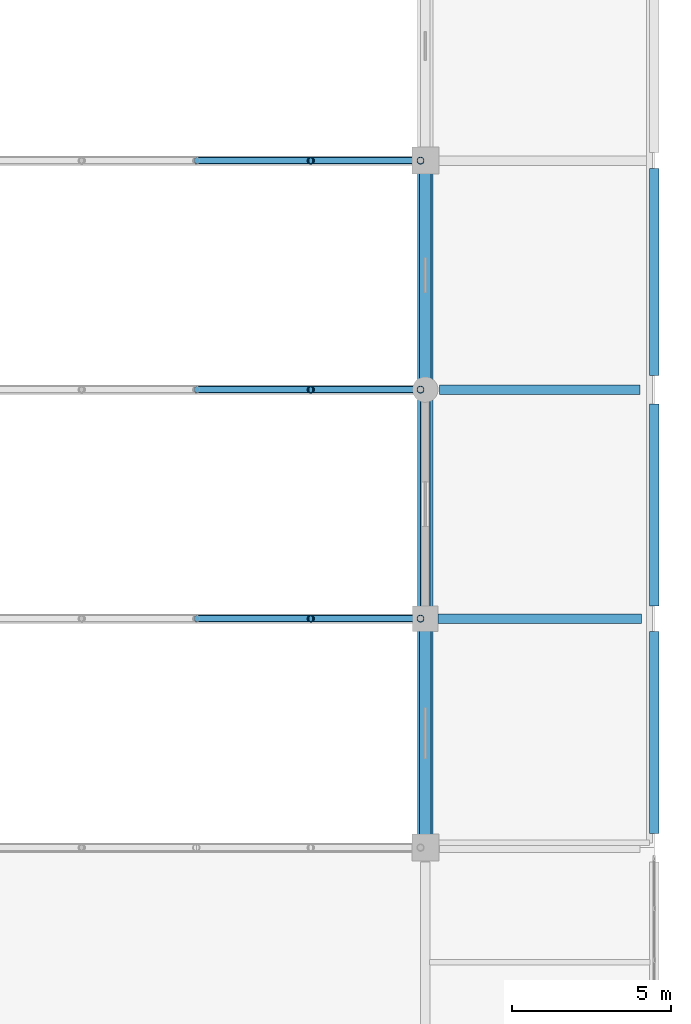
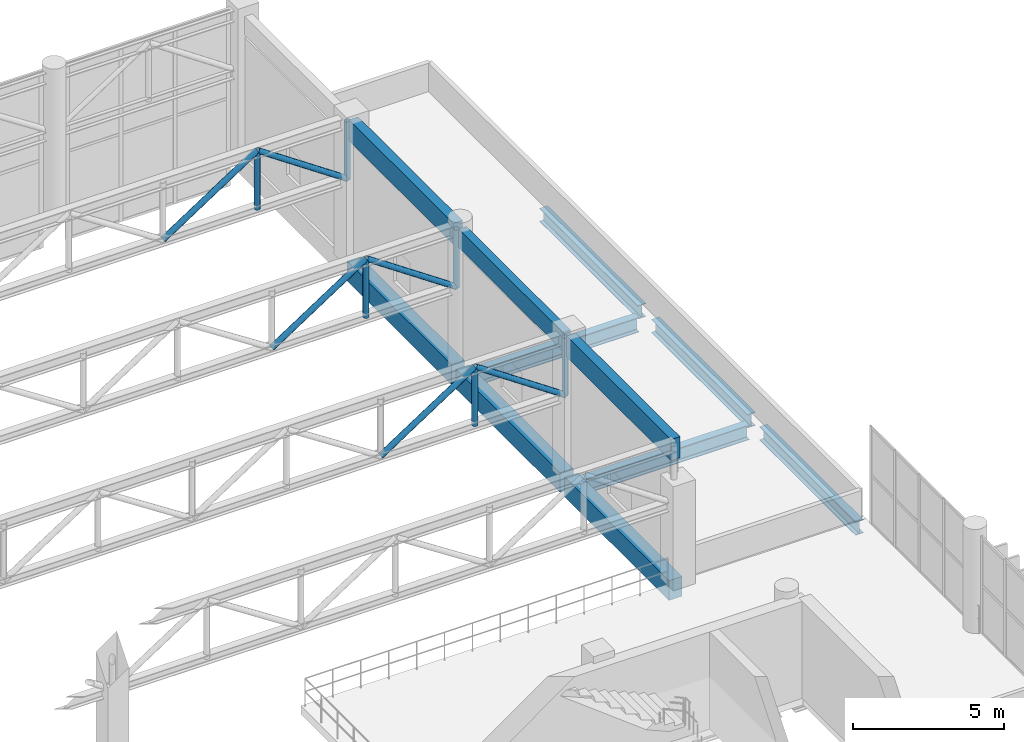
# One storey, part 106 of 153: 12 members, 11 beams.
"""IFC4 building model written with IfcOpenShell, lengths in metres."""

from ifc_helpers import new_model, si_unit, direction, frame, origin, origin_2d, place, context, subcontext, project, spatial, rectangle, hollow_circle, i_section, extrude, material, material_profile, profile_set, type_object, element, save


model = new_model("IFC4")

# Units and contexts
model_context = context("Model", 3, precision=1e-05, world=origin(), true_north=direction((0.0, 1.0)))
body_context = subcontext(model_context, "Body", "Model", "MODEL_VIEW")
ifc_project = project(units=[si_unit("LENGTHUNIT", "METRE"), si_unit("AREAUNIT", "SQUARE_METRE"), si_unit("VOLUMEUNIT", "CUBIC_METRE"), si_unit("PLANEANGLEUNIT", "RADIAN"), si_unit("MASSUNIT", "GRAM", prefix="KILO")], contexts=[model_context])

# Site, building, storey
site_placement = place(None, origin())
site = spatial("IfcSite", under=ifc_project, at=site_placement, CompositionType="ELEMENT")
building_placement = place(site_placement, origin())
building = spatial("IfcBuilding", under=site, at=building_placement, Name="Qandorah Velis Arena", CompositionType="ELEMENT")
storey_placement = place(building_placement, frame((0.0, 0.0, 5.39990234375)))
storey = spatial("IfcBuildingStorey", under=building, at=storey_placement, Name="L01", CompositionType="ELEMENT", Elevation=5.39990234375)

# Beams
ifc_material_1 = material(Name="Steel S355", Category="steel")
ifc_material_profile_1 = material_profile(ifc_material_1, i_section(OverallWidth=0.300048828125, OverallDepth=0.550048828125, WebThickness=0.014892578125, FlangeThickness=0.029052734375, FilletRadius=0.027099609375, at=origin_2d()), Name="HEB 550")
ifc_profile_set_1 = profile_set([ifc_material_profile_1], Name="Steel S355")
beam_type_1 = type_object("IfcBeamType", Name="STR-BM-HEB550", PredefinedType="BEAM", material=ifc_profile_set_1)
beam_1_placement = place(storey_placement, frame((172.800048828125, 94.050048828125, -0.635009765625), z_axis=(0.0, 1.0, 0.0), x_axis=(-1.0, 0.0, 0.0)))
element("IfcBeam", 1, at=beam_1_placement, inside=storey, type_object=beam_type_1, Name="Primary floor girder L01 Y-427", PredefinedType="BEAM", context=body_context, shape_type="SweptSolid", body=[
    extrude(i_section(OverallWidth=0.300048828125, OverallDepth=0.550048828125, WebThickness=0.014892578125, FlangeThickness=0.029052734375, FilletRadius=0.027099609375, at=origin_2d()), origin(), (0.0, 0.0, 1.0), 6.349853515625),
])
beam_2_placement = place(storey_placement, frame((172.800048828125, 101.199951171875, -0.635009765625), z_axis=(0.0, 1.0, 0.0), x_axis=(-1.0, 0.0, 0.0)))
element("IfcBeam", 2, at=beam_2_placement, inside=storey, type_object=beam_type_1, Name="Primary floor girder L01 Y-428", PredefinedType="BEAM", context=body_context, shape_type="SweptSolid", body=[
    extrude(i_section(OverallWidth=0.300048828125, OverallDepth=0.550048828125, WebThickness=0.014892578125, FlangeThickness=0.029052734375, FilletRadius=0.027099609375, at=origin_2d()), origin(), (0.0, 0.0, 1.0), 6.35009765625),
])
beam_3_placement = place(storey_placement, frame((172.800048828125, 108.449951171875, -0.635009765625), z_axis=(0.0, 1.0, 0.0), x_axis=(-1.0, 0.0, 0.0)))
element("IfcBeam", 3, at=beam_3_placement, inside=storey, type_object=beam_type_1, Name="Primary floor girder L01 Y-429", PredefinedType="BEAM", context=body_context, shape_type="SweptSolid", body=[
    extrude(i_section(OverallWidth=0.300048828125, OverallDepth=0.550048828125, WebThickness=0.014892578125, FlangeThickness=0.029052734375, FilletRadius=0.027099609375, at=origin_2d()), origin(), (0.0, 0.0, 1.0), 6.5),
])
ifc_material_profile_2 = material_profile(ifc_material_1, i_section(OverallWidth=0.300048828125, OverallDepth=0.60009765625, WebThickness=0.015380859375, FlangeThickness=0.030029296875, FilletRadius=0.027099609375, at=origin_2d()), Name="HEB 600")
ifc_profile_set_2 = profile_set([ifc_material_profile_2], Name="Steel S355")
beam_type_2 = type_object("IfcBeamType", Name="STR-BM-HEB600", PredefinedType="BEAM", material=ifc_profile_set_2)
beam_4_placement = place(storey_placement, frame((166.0, 100.800048828125, -0.659912109375), z_axis=(1.0, 0.0, 0.0), x_axis=(0.0, 1.0, 0.0)))
element("IfcBeam", 4, at=beam_4_placement, inside=storey, type_object=beam_type_2, Name="Primary floor girder L01 X-152", PredefinedType="BEAM", context=body_context, shape_type="SweptSolid", body=[
    extrude(i_section(OverallWidth=0.300048828125, OverallDepth=0.60009765625, WebThickness=0.015380859375, FlangeThickness=0.030029296875, FilletRadius=0.027099609375, at=origin_2d()), origin(), (0.0, 0.0, 1.0), 6.39990234375),
])
beam_5_placement = place(storey_placement, frame((166.050048828125, 108.0, -0.659912109375), z_axis=(1.0, 0.0, 0.0), x_axis=(0.0, 1.0, 0.0)))
element("IfcBeam", 5, at=beam_5_placement, inside=storey, type_object=beam_type_2, Name="Primary floor girder L01 X-169", PredefinedType="BEAM", context=body_context, shape_type="SweptSolid", body=[
    extrude(i_section(OverallWidth=0.300048828125, OverallDepth=0.60009765625, WebThickness=0.015380859375, FlangeThickness=0.030029296875, FilletRadius=0.027099609375, at=origin_2d()), origin(), (0.0, 0.0, 1.0), 6.300048828125),
])
ifc_material_2 = material(Name="Concrete C40/50", Category="concrete")
ifc_material_profile_3 = material_profile(ifc_material_2, rectangle(XDim=0.5, YDim=0.800048828125, at=origin_2d()), Name="RC BM 500x800")
ifc_profile_set_3 = profile_set([ifc_material_profile_3], Name="Concrete C40/50")
beam_type_3 = type_object("IfcBeamType", Name="STR-RCBM-500X800", PredefinedType="BEAM", material=ifc_profile_set_3)
beam_6_placement = place(storey_placement, frame((165.60009765625, 93.75, -0.39990234375), z_axis=(0.0, 1.0, 0.0), x_axis=(-1.0, 0.0, 0.0)))
element("IfcBeam", 6, at=beam_6_placement, inside=storey, type_object=beam_type_3, Name="Practice hall mid-level spandrel beam SPB-M01", PredefinedType="BEAM", context=body_context, shape_type="SweptSolid", body=[
    extrude(rectangle(XDim=0.5, YDim=0.800048828125, at=origin_2d()), origin(), (0.0, 0.0, 1.0), 6.89990234375),
])
for number, where, z_axis, x_axis, name in (
    (7, (165.60009765625, 100.949951171875, -0.39990234375), (0.0, 1.0, 0.0), (-1.0, 0.0, 0.0), "Practice hall mid-level spandrel beam SPB-M02"),
    (8, (165.60009765625, 108.14990234375, -0.39990234375), (0.0, 1.0, 0.0), (-1.0, 0.0, 0.0), "Practice hall mid-level spandrel beam SPB-M03"),
):
    element("IfcBeam", number, at=place(storey_placement, frame(where, z_axis=z_axis, x_axis=x_axis)), inside=storey, type_object=beam_type_3, Name=name, PredefinedType="BEAM", context=body_context, shape_type="SweptSolid", body=[
        extrude(rectangle(XDim=0.5, YDim=0.800048828125, at=origin_2d()), origin(), (0.0, 0.0, 1.0), 6.900146484375),
    ])

# Members
ifc_material_profile_4 = material_profile(ifc_material_1, hollow_circle(Radius=0.109619140625, WallThickness=0.010009765625, at=origin_2d()), Name="CHS 219.1x10")
ifc_profile_set_4 = profile_set([ifc_material_profile_4], Name="Steel S355")
member_type = type_object("IfcMemberType", Name="STR-SFD-CHS219X10", PredefinedType="STRUT", material=ifc_profile_set_4)
member_1_placement = place(storey_placement, frame((158.39990234375, 100.800048828125, 3.205078125), z_axis=(0.837375540217, 0.0, 0.546628031339), x_axis=(0.0, 1.0, 0.0)))
element("IfcMember", 9, at=member_1_placement, inside=storey, type_object=member_type, Name="Practice court roof truss 2 web diagonal 11", PredefinedType="STRUT", context=body_context, shape_type="SweptSolid", body=[
    extrude(hollow_circle(Radius=0.109619140625, WallThickness=0.010009765625, at=origin_2d()), origin(), (0.0, 0.0, 1.0), 4.29931640625),
])
member_2_placement = place(storey_placement, frame((162.0, 100.800048828125, 3.205078125), z_axis=(0.0, 0.0, 1.0), x_axis=(1.0, 0.0, 0.0)))
element("IfcMember", 10, at=member_2_placement, inside=storey, type_object=member_type, Name="Practice court roof truss 2 vertical 12", PredefinedType="STRUT", context=body_context, shape_type="SweptSolid", body=[
    extrude(hollow_circle(Radius=0.109619140625, WallThickness=0.010009765625, at=origin_2d()), origin(), (0.0, 0.0, 1.0), 2.35009765625),
])
member_3_placement = place(storey_placement, frame((162.0, 100.800048828125, 5.55517578125), z_axis=(0.826466079645, 0.0, -0.562986517774), x_axis=(0.0, 1.0, 0.0)))
element("IfcMember", 11, at=member_3_placement, inside=storey, type_object=member_type, Name="Practice court roof truss 2 web diagonal 12", PredefinedType="STRUT", context=body_context, shape_type="SweptSolid", body=[
    extrude(hollow_circle(Radius=0.109619140625, WallThickness=0.010009765625, at=origin_2d()), origin(), (0.0, 0.0, 1.0), 4.17431640625),
])
member_4_placement = place(storey_placement, frame((165.449951171875, 100.800048828125, 3.205078125), z_axis=(0.0, 0.0, 1.0), x_axis=(1.0, 0.0, 0.0)))
element("IfcMember", 12, at=member_4_placement, inside=storey, type_object=member_type, Name="Practice court roof truss 2 end vertical", PredefinedType="STRUT", context=body_context, shape_type="SweptSolid", body=[
    extrude(hollow_circle(Radius=0.109619140625, WallThickness=0.010009765625, at=origin_2d()), origin(), (0.0, 0.0, 1.0), 2.35009765625),
])
member_5_placement = place(storey_placement, frame((158.39990234375, 108.0, 3.205078125), z_axis=(0.837375540217, 0.0, 0.546628031339), x_axis=(0.0, 1.0, 0.0)))
element("IfcMember", 13, at=member_5_placement, inside=storey, type_object=member_type, Name="Practice court roof truss 3 web diagonal 11", PredefinedType="STRUT", context=body_context, shape_type="SweptSolid", body=[
    extrude(hollow_circle(Radius=0.109619140625, WallThickness=0.010009765625, at=origin_2d()), origin(), (0.0, 0.0, 1.0), 4.29931640625),
])
member_6_placement = place(storey_placement, frame((162.0, 108.0, 3.205078125), z_axis=(0.0, 0.0, 1.0), x_axis=(1.0, 0.0, 0.0)))
element("IfcMember", 14, at=member_6_placement, inside=storey, type_object=member_type, Name="Practice court roof truss 3 vertical 12", PredefinedType="STRUT", context=body_context, shape_type="SweptSolid", body=[
    extrude(hollow_circle(Radius=0.109619140625, WallThickness=0.010009765625, at=origin_2d()), origin(), (0.0, 0.0, 1.0), 2.35009765625),
])
member_7_placement = place(storey_placement, frame((162.0, 108.0, 5.55517578125), z_axis=(0.826466079645, 0.0, -0.562986517774), x_axis=(0.0, 1.0, 0.0)))
element("IfcMember", 15, at=member_7_placement, inside=storey, type_object=member_type, Name="Practice court roof truss 3 web diagonal 12", PredefinedType="STRUT", context=body_context, shape_type="SweptSolid", body=[
    extrude(hollow_circle(Radius=0.109619140625, WallThickness=0.010009765625, at=origin_2d()), origin(), (0.0, 0.0, 1.0), 4.17431640625),
])
member_8_placement = place(storey_placement, frame((165.449951171875, 108.0, 3.205078125), z_axis=(0.0, 0.0, 1.0), x_axis=(1.0, 0.0, 0.0)))
element("IfcMember", 16, at=member_8_placement, inside=storey, type_object=member_type, Name="Practice court roof truss 3 end vertical", PredefinedType="STRUT", context=body_context, shape_type="SweptSolid", body=[
    extrude(hollow_circle(Radius=0.109619140625, WallThickness=0.010009765625, at=origin_2d()), origin(), (0.0, 0.0, 1.0), 2.35009765625),
])
member_9_placement = place(storey_placement, frame((158.39990234375, 115.199951171875, 3.205078125), z_axis=(0.837375540217, 0.0, 0.546628031339), x_axis=(0.0, 1.0, 0.0)))
element("IfcMember", 17, at=member_9_placement, inside=storey, type_object=member_type, Name="Practice court roof truss 4 web diagonal 11", PredefinedType="STRUT", context=body_context, shape_type="SweptSolid", body=[
    extrude(hollow_circle(Radius=0.109619140625, WallThickness=0.010009765625, at=origin_2d()), origin(), (0.0, 0.0, 1.0), 4.29931640625),
])
member_10_placement = place(storey_placement, frame((162.0, 115.199951171875, 3.205078125), z_axis=(0.0, 0.0, 1.0), x_axis=(1.0, 0.0, 0.0)))
element("IfcMember", 18, at=member_10_placement, inside=storey, type_object=member_type, Name="Practice court roof truss 4 vertical 12", PredefinedType="STRUT", context=body_context, shape_type="SweptSolid", body=[
    extrude(hollow_circle(Radius=0.109619140625, WallThickness=0.010009765625, at=origin_2d()), origin(), (0.0, 0.0, 1.0), 2.35009765625),
])
member_11_placement = place(storey_placement, frame((162.0, 115.199951171875, 5.55517578125), z_axis=(0.826466079645, 0.0, -0.562986517774), x_axis=(0.0, 1.0, 0.0)))
element("IfcMember", 19, at=member_11_placement, inside=storey, type_object=member_type, Name="Practice court roof truss 4 web diagonal 12", PredefinedType="STRUT", context=body_context, shape_type="SweptSolid", body=[
    extrude(hollow_circle(Radius=0.109619140625, WallThickness=0.010009765625, at=origin_2d()), origin(), (0.0, 0.0, 1.0), 4.17431640625),
])
member_12_placement = place(storey_placement, frame((165.449951171875, 115.199951171875, 3.205078125), z_axis=(0.0, 0.0, 1.0), x_axis=(1.0, 0.0, 0.0)))
element("IfcMember", 20, at=member_12_placement, inside=storey, type_object=member_type, Name="Practice court roof truss 4 end vertical", PredefinedType="STRUT", context=body_context, shape_type="SweptSolid", body=[
    extrude(hollow_circle(Radius=0.109619140625, WallThickness=0.010009765625, at=origin_2d()), origin(), (0.0, 0.0, 1.0), 2.35009765625),
])

# Beams
ifc_material_profile_5 = material_profile(ifc_material_2, rectangle(XDim=0.300048828125, YDim=0.75, at=origin_2d()), Name="RC SPANDREL 300x750")
ifc_profile_set_5 = profile_set([ifc_material_profile_5], Name="Concrete C40/50")
beam_type_4 = type_object("IfcBeamType", Name="STR-SPN-300X750", PredefinedType="SPANDREL", material=ifc_profile_set_5)
beam_7_placement = place(storey_placement, frame((165.60009765625, 100.949951171875, 5.25), z_axis=(0.0, 1.0, 0.0), x_axis=(-1.0, 0.0, 0.0)))
element("IfcBeam", 21, at=beam_7_placement, inside=storey, type_object=beam_type_4, Name="Practice hall east spandrel beam SPB-02", PredefinedType="SPANDREL", context=body_context, shape_type="SweptSolid", body=[
    extrude(rectangle(XDim=0.300048828125, YDim=0.75, at=origin_2d()), origin(), (0.0, 0.0, 1.0), 6.900146484375),
])
ifc_material_profile_6 = material_profile(ifc_material_2, rectangle(XDim=0.35009765625, YDim=0.85009765625, at=origin_2d()), Name="RC SPANDREL 350x850")
ifc_profile_set_6 = profile_set([ifc_material_profile_6], Name="Concrete C40/50")
beam_type_5 = type_object("IfcBeamType", Name="STR-SPN-350X850", PredefinedType="SPANDREL", material=ifc_profile_set_6)
beam_8_placement = place(storey_placement, frame((165.60009765625, 93.75, 5.25), z_axis=(0.0, 1.0, 0.0), x_axis=(-1.0, 0.0, 0.0)))
element("IfcBeam", 22, at=beam_8_placement, inside=storey, type_object=beam_type_5, Name="Practice hall east spandrel beam SPB-01", PredefinedType="SPANDREL", context=body_context, shape_type="SweptSolid", body=[
    extrude(rectangle(XDim=0.35009765625, YDim=0.85009765625, at=origin_2d()), origin(), (0.0, 0.0, 1.0), 6.89990234375),
])
beam_9_placement = place(storey_placement, frame((165.60009765625, 108.14990234375, 5.25), z_axis=(0.0, 1.0, 0.0), x_axis=(-1.0, 0.0, 0.0)))
element("IfcBeam", 23, at=beam_9_placement, inside=storey, type_object=beam_type_5, Name="Practice hall east spandrel beam SPB-03", PredefinedType="SPANDREL", context=body_context, shape_type="SweptSolid", body=[
    extrude(rectangle(XDim=0.35009765625, YDim=0.85009765625, at=origin_2d()), origin(), (0.0, 0.0, 1.0), 6.900146484375),
])

save(model, "model.ifc")
